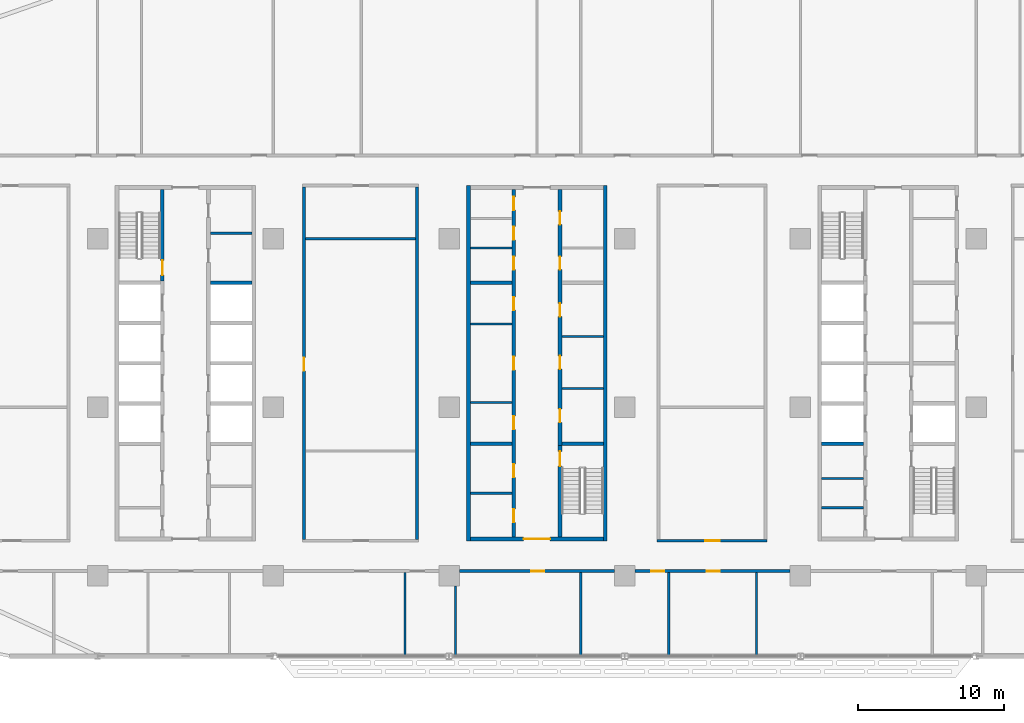
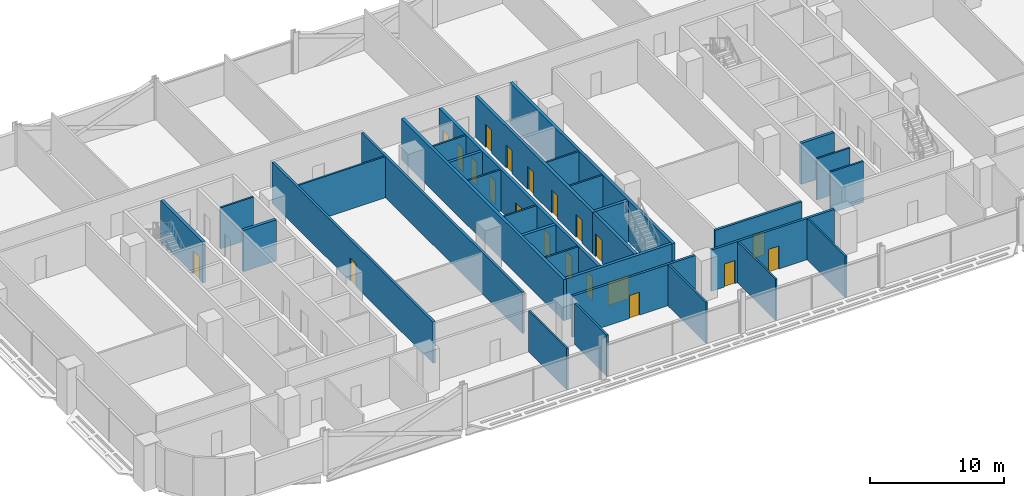
# One storey, part 13 of 29: 32 walls, 21 doors, 21 openings.
"""IFC4 building model written with IfcOpenShell, lengths in metres."""

from ifc_helpers import new_model, si_unit, direction, frame, frame_2d, origin, place, context, subcontext, project, spatial, rectangle, extrude, material, layer, layer_set, type_object, element, fill, save


model = new_model("IFC4")

# Units and contexts
model_context = context("Model", 3, precision=1e-05, world=origin(), true_north=direction((0.0, 1.0)))
body_context = subcontext(model_context, "Body", "Model", "MODEL_VIEW")
ifc_project = project(units=[si_unit("LENGTHUNIT", "METRE"), si_unit("AREAUNIT", "SQUARE_METRE"), si_unit("VOLUMEUNIT", "CUBIC_METRE"), si_unit("PLANEANGLEUNIT", "RADIAN"), si_unit("MASSUNIT", "GRAM", prefix="KILO")], contexts=[model_context])

# Site, building, storey
site_placement = place(None, origin())
site = spatial("IfcSite", under=ifc_project, at=site_placement, CompositionType="ELEMENT")
building_placement = place(site_placement, origin())
building = spatial("IfcBuilding", under=site, at=building_placement, Name="Mahtab Terrace Research Tower", CompositionType="ELEMENT")
storey_placement = place(building_placement, frame((0.0, 0.0, 93.0)))
storey = spatial("IfcBuildingStorey", under=building, at=storey_placement, Name="L21", CompositionType="ELEMENT", Elevation=93.0)

# Walls
ifc_material_1 = material(Name="Gypsum board partition")
ifc_layer_1 = layer(ifc_material_1, 0.14990234375)
ifc_layer_set_1 = layer_set([ifc_layer_1], Name="Core partition 150")
wall_type_1 = type_object("IfcWallType", Name="Core partition 150", PredefinedType="PARTITIONING", material=ifc_layer_set_1)
for number, where, z_axis, x_axis, name in (
    (1, (-22.300048828125, 11.875, 0.0), (0.0, 0.0, 1.0), (1.0, 0.0, 0.0), "Core wall A pEN888"),
    (2, (-4.550048828125, 0.3125, 0.0), (0.0, 0.0, 1.0), (1.0, 0.0, 0.0), "Core wall B pWL-269"),
    (3, (-4.550048828125, 5.6875, 0.0), (0.0, 0.0, 1.0), (1.0, 0.0, 0.0), "Core wall B pWL269"),
    (4, (1.699951171875, 1.280029296875, 0.0), (0.0, 0.0, 1.0), (1.0, 0.0, 0.0), "Core wall B pEL-172"),
    (5, (1.699951171875, 4.827392578125, 0.0), (0.0, 0.0, 1.0), (1.0, 0.0, 0.0), "Core wall B pEL183"),
    (6, (-4.550048828125, -5.875, 0.0), (0.0, 0.0, 1.0), (1.0, 0.0, 0.0), "Core wall B pWS-888"),
    (7, (-4.550048828125, 10.875, 0.0), (0.0, 0.0, 1.0), (1.0, 0.0, 0.0), "Core wall B pWN788"),
    (8, (19.449951171875, -6.875, 0.0), (0.0, 0.0, 1.0), (1.0, 0.0, 0.0), "Core wall C pWS-988"),
    (9, (19.449951171875, -4.875, 0.0), (0.0, 0.0, 1.0), (1.0, 0.0, 0.0), "Core wall C pWS-788"),
):
    element("IfcWall", number, at=place(storey_placement, frame(where, z_axis=z_axis, x_axis=x_axis)), inside=storey, type_object=wall_type_1, Name=name, PredefinedType="PARTITIONING", context=body_context, shape_type="SweptSolid", body=[
        extrude(rectangle(XDim=2.85009765625, YDim=0.14990234375, at=frame_2d((1.425048828125, 0.0))), origin(), (0.0, 0.0, 1.0), 3.760009765625),
    ])

# Wall, opening, door
ifc_material_2 = material(Name="Concrete C70/85", Category="concrete")
ifc_layer_2 = layer(ifc_material_2, 0.25)
ifc_layer_set_2 = layer_set([ifc_layer_2], Name="Core wall 250")
wall_type_2 = type_object("IfcWallType", Name="Core wall 250", PredefinedType="SOLIDWALL", material=ifc_layer_set_2)
wall_1_placement = place(storey_placement, frame((-25.574951171875, 14.875, 0.0), z_axis=(0.0, 0.0, 1.0), x_axis=(0.0, -1.0, 0.0)))
wall_1 = element("IfcWall", 10, at=wall_1_placement, inside=storey, type_object=wall_type_2, Name="Core wall A innerWN", PredefinedType="SOLIDWALL", context=body_context, shape_type="SweptSolid", body=[
    extrude(rectangle(XDim=6.25, YDim=0.25, at=frame_2d((3.125, 0.0))), origin(), (0.0, 0.0, 1.0), 3.760009765625),
])
opening_1_placement = place(wall_1_placement, frame((4.85009765625, 0.0, 0.0)))
opening_1 = element("IfcOpeningElement", 11, at=opening_1_placement, cuts=wall_1, Name="Opening A-ST1", PredefinedType="OPENING", context=body_context, shape_type="SweptSolid", body=[
    extrude(rectangle(XDim=1.0, YDim=2.10009765625, at=frame_2d((0.5, 1.050048828125))), frame((0.0, 0.135009765625, 0.0), z_axis=(0.0, -1.0, 0.0), x_axis=(1.0, 0.0, 0.0)), (0.0, 0.0, 1.0), 0.27001953125),
])
ifc_material_3 = material(Name="Steel fire door", Category="steel")
door_type_1 = type_object("IfcDoorType", Name="Stair door 1000x2100 1.5 HR", OperationType="NOTDEFINED", PredefinedType="DOOR", material=ifc_material_3)
door_1_placement = place(opening_1_placement, origin())
door_1 = element("IfcDoor", 12, at=door_1_placement, inside=storey, type_object=door_type_1, Name="Stair door ST1 L21", OperationType="SINGLE_SWING_LEFT", OverallHeight=2.10009765625, OverallWidth=1.0, PredefinedType="DOOR", context=body_context, shape_type="SweptSolid", body=[
    extrude(rectangle(XDim=1.0, YDim=2.10009765625, at=frame_2d((0.5, 1.050048828125))), frame((0.0, 0.02490234375, 0.0), z_axis=(0.0, -1.0, 0.0), x_axis=(1.0, 0.0, 0.0)), (0.0, 0.0, 1.0), 0.050048828125),
])
fill(opening_1, door_1)

# Walls
wall_2_placement = place(storey_placement, frame((-22.300048828125, 8.5, 0.0), z_axis=(0.0, 0.0, 1.0), x_axis=(1.0, 0.0, 0.0)))
element("IfcWall", 13, at=wall_2_placement, inside=storey, type_object=wall_type_2, Name="Core wall A divE4", PredefinedType="SOLIDWALL", context=body_context, shape_type="SweptSolid", body=[
    extrude(rectangle(XDim=2.85009765625, YDim=0.25, at=frame_2d((1.425048828125, 0.0))), origin(), (0.0, 0.0, 1.0), 3.760009765625),
])
for number, where, z_axis, x_axis, name in (
    (14, (-4.675048828125, 15.125, 0.0), (0.0, 0.0, 1.0), (0.0, -1.0, 0.0), "Core wall B outerW"),
    (15, (4.675048828125, -9.125, 0.0), (0.0, 0.0, 1.0), (0.0, 1.0, 0.0), "Core wall B outerE"),
):
    element("IfcWall", number, at=place(storey_placement, frame(where, z_axis=z_axis, x_axis=x_axis)), inside=storey, type_object=wall_type_2, Name=name, PredefinedType="SOLIDWALL", context=body_context, shape_type="SweptSolid", body=[
        extrude(rectangle(XDim=24.25, YDim=0.25, at=frame_2d((12.125, 0.0))), origin(), (0.0, 0.0, 1.0), 3.760009765625),
    ])

# Wall, opening, door
wall_3_placement = place(storey_placement, frame((4.550048828125, -9.0, 0.0), z_axis=(0.0, 0.0, 1.0), x_axis=(-1.0, 0.0, 0.0)))
wall_3 = element("IfcWall", 16, at=wall_3_placement, inside=storey, type_object=wall_type_2, Name="Core wall B endS", PredefinedType="SOLIDWALL", context=body_context, shape_type="SweptSolid", body=[
    extrude(rectangle(XDim=9.10009765625, YDim=0.25, at=frame_2d((4.550048828125, 0.0))), origin(), (0.0, 0.0, 1.0), 3.760009765625),
])
opening_2_placement = place(wall_3_placement, frame((3.64990234375, 0.0, 0.0)))
opening_2 = element("IfcOpeningElement", 17, at=opening_2_placement, cuts=wall_3, Name="Opening B-S1", PredefinedType="OPENING", context=body_context, shape_type="SweptSolid", body=[
    extrude(rectangle(XDim=1.800048828125, YDim=2.10009765625, at=frame_2d((0.89990234375, 1.050048828125))), frame((0.0, 0.135009765625, 0.0), z_axis=(0.0, -1.0, 0.0), x_axis=(1.0, 0.0, 0.0)), (0.0, 0.0, 1.0), 0.27001953125),
])
door_type_2 = type_object("IfcDoorType", Name="Lobby double door 1800x2100 1 HR", OperationType="DOUBLE_DOOR_SINGLE_SWING", PredefinedType="DOOR", material=ifc_material_3)
door_2_placement = place(opening_2_placement, origin())
door_2 = element("IfcDoor", 18, at=door_2_placement, inside=storey, type_object=door_type_2, Name="Core entrance door B S", OperationType="DOUBLE_DOOR_SINGLE_SWING", OverallHeight=2.10009765625, OverallWidth=1.800048828125, PredefinedType="DOOR", context=body_context, shape_type="SweptSolid", body=[
    extrude(rectangle(XDim=1.800048828125, YDim=2.10009765625, at=frame_2d((0.89990234375, 1.050048828125))), frame((0.0, 0.02490234375, 0.0), z_axis=(0.0, -1.0, 0.0), x_axis=(1.0, 0.0, 0.0)), (0.0, 0.0, 1.0), 0.050048828125),
])
fill(opening_2, door_2)

# Wall, openings, doors
wall_4_placement = place(storey_placement, frame((-1.574951171875, -8.875, 0.0), z_axis=(0.0, 0.0, 1.0), x_axis=(0.0, 1.0, 0.0)))
wall_4 = element("IfcWall", 19, at=wall_4_placement, inside=storey, type_object=wall_type_2, Name="Core wall B innerWSLN", PredefinedType="SOLIDWALL", context=body_context, shape_type="SweptSolid", body=[
    extrude(rectangle(XDim=23.75, YDim=0.25, at=frame_2d((11.875, 0.0))), origin(), (0.0, 0.0, 1.0), 3.760009765625),
])
opening_3_placement = place(wall_4_placement, frame((7.356201171875, 0.0, 0.0)))
opening_3 = element("IfcOpeningElement", 20, at=opening_3_placement, cuts=wall_4, Name="Opening B-R1", PredefinedType="OPENING", context=body_context, shape_type="SweptSolid", body=[
    extrude(rectangle(XDim=0.89990234375, YDim=2.10009765625, at=frame_2d((0.449951171875, 1.050048828125))), frame((0.0, 0.135009765625, 0.0), z_axis=(0.0, -1.0, 0.0), x_axis=(1.0, 0.0, 0.0)), (0.0, 0.0, 1.0), 0.27001953125),
])
opening_4_placement = place(wall_4_placement, frame((11.425048828125, 0.0, 0.0)))
opening_4 = element("IfcOpeningElement", 21, at=opening_4_placement, cuts=wall_4, Name="Opening B-R2", PredefinedType="OPENING", context=body_context, shape_type="SweptSolid", body=[
    extrude(rectangle(XDim=0.89990234375, YDim=2.10009765625, at=frame_2d((0.449951171875, 1.050048828125))), frame((0.0, 0.135009765625, 0.0), z_axis=(0.0, -1.0, 0.0), x_axis=(1.0, 0.0, 0.0)), (0.0, 0.0, 1.0), 0.27001953125),
])
opening_5_placement = place(wall_4_placement, frame((15.493896484375, 0.0, 0.0)))
opening_5 = element("IfcOpeningElement", 22, at=opening_5_placement, cuts=wall_4, Name="Opening B-R3", PredefinedType="OPENING", context=body_context, shape_type="SweptSolid", body=[
    extrude(rectangle(XDim=0.89990234375, YDim=2.10009765625, at=frame_2d((0.449951171875, 1.050048828125))), frame((0.0, 0.135009765625, 0.0), z_axis=(0.0, -1.0, 0.0), x_axis=(1.0, 0.0, 0.0)), (0.0, 0.0, 1.0), 0.27001953125),
])
opening_6_placement = place(wall_4_placement, frame((1.012451171875, 0.0, 0.0)))
opening_6 = element("IfcOpeningElement", 23, at=opening_6_placement, cuts=wall_4, Name="Opening B-R7", PredefinedType="OPENING", context=body_context, shape_type="SweptSolid", body=[
    extrude(rectangle(XDim=0.89990234375, YDim=2.10009765625, at=frame_2d((0.449951171875, 1.050048828125))), frame((0.0, 0.135009765625, 0.0), z_axis=(0.0, -1.0, 0.0), x_axis=(1.0, 0.0, 0.0)), (0.0, 0.0, 1.0), 0.27001953125),
])
opening_7_placement = place(wall_4_placement, frame((4.08740234375, 0.0, 0.0)))
opening_7 = element("IfcOpeningElement", 24, at=opening_7_placement, cuts=wall_4, Name="Opening B-R8", PredefinedType="OPENING", context=body_context, shape_type="SweptSolid", body=[
    extrude(rectangle(XDim=0.89990234375, YDim=2.10009765625, at=frame_2d((0.449951171875, 1.050048828125))), frame((0.0, 0.135009765625, 0.0), z_axis=(0.0, -1.0, 0.0), x_axis=(1.0, 0.0, 0.0)), (0.0, 0.0, 1.0), 0.27001953125),
])
opening_8_placement = place(wall_4_placement, frame((18.262451171875, 0.0, 0.0)))
opening_8 = element("IfcOpeningElement", 25, at=opening_8_placement, cuts=wall_4, Name="Opening B-R9", PredefinedType="OPENING", context=body_context, shape_type="SweptSolid", body=[
    extrude(rectangle(XDim=0.89990234375, YDim=2.10009765625, at=frame_2d((0.449951171875, 1.050048828125))), frame((0.0, 0.135009765625, 0.0), z_axis=(0.0, -1.0, 0.0), x_axis=(1.0, 0.0, 0.0)), (0.0, 0.0, 1.0), 0.27001953125),
])
opening_9_placement = place(wall_4_placement, frame((20.300048828125, 0.0, 0.0)))
opening_9 = element("IfcOpeningElement", 26, at=opening_9_placement, cuts=wall_4, Name="Opening B-R10", PredefinedType="OPENING", context=body_context, shape_type="SweptSolid", body=[
    extrude(rectangle(XDim=0.89990234375, YDim=2.10009765625, at=frame_2d((0.449951171875, 1.050048828125))), frame((0.0, 0.135009765625, 0.0), z_axis=(0.0, -1.0, 0.0), x_axis=(1.0, 0.0, 0.0)), (0.0, 0.0, 1.0), 0.27001953125),
])
opening_10_placement = place(wall_4_placement, frame((22.33740234375, 0.0, 0.0)))
opening_10 = element("IfcOpeningElement", 27, at=opening_10_placement, cuts=wall_4, Name="Opening B-R11", PredefinedType="OPENING", context=body_context, shape_type="SweptSolid", body=[
    extrude(rectangle(XDim=0.89990234375, YDim=2.10009765625, at=frame_2d((0.449951171875, 1.050048828125))), frame((0.0, 0.135009765625, 0.0), z_axis=(0.0, -1.0, 0.0), x_axis=(1.0, 0.0, 0.0)), (0.0, 0.0, 1.0), 0.27001953125),
])
door_type_3 = type_object("IfcDoorType", Name="Room door 900x2100 1 HR", OperationType="NOTDEFINED", PredefinedType="DOOR", material=ifc_material_3)
door_3_placement = place(opening_3_placement, origin())
door_3 = element("IfcDoor", 28, at=door_3_placement, inside=storey, type_object=door_type_3, Name="Comms room door", OperationType="SINGLE_SWING_LEFT", OverallHeight=2.10009765625, OverallWidth=0.89990234375, PredefinedType="DOOR", context=body_context, shape_type="SweptSolid", body=[
    extrude(rectangle(XDim=0.89990234375, YDim=2.10009765625, at=frame_2d((0.449951171875, 1.050048828125))), frame((0.0, 0.02490234375, 0.0), z_axis=(0.0, -1.0, 0.0), x_axis=(1.0, 0.0, 0.0)), (0.0, 0.0, 1.0), 0.050048828125),
])
fill(opening_3, door_3)
door_4_placement = place(opening_4_placement, origin())
door_4 = element("IfcDoor", 29, at=door_4_placement, inside=storey, type_object=door_type_3, Name="Meeting alcove door", OperationType="SINGLE_SWING_RIGHT", OverallHeight=2.10009765625, OverallWidth=0.89990234375, PredefinedType="DOOR", context=body_context, shape_type="SweptSolid", body=[
    extrude(rectangle(XDim=0.89990234375, YDim=2.10009765625, at=frame_2d((0.449951171875, 1.050048828125))), frame((0.0, 0.02490234375, 0.0), z_axis=(0.0, -1.0, 0.0), x_axis=(1.0, 0.0, 0.0)), (0.0, 0.0, 1.0), 0.050048828125),
])
fill(opening_4, door_4)
door_5_placement = place(opening_5_placement, origin())
door_5 = element("IfcDoor", 30, at=door_5_placement, inside=storey, type_object=door_type_3, Name="Linen store door", OperationType="SINGLE_SWING_LEFT", OverallHeight=2.10009765625, OverallWidth=0.89990234375, PredefinedType="DOOR", context=body_context, shape_type="SweptSolid", body=[
    extrude(rectangle(XDim=0.89990234375, YDim=2.10009765625, at=frame_2d((0.449951171875, 1.050048828125))), frame((0.0, 0.02490234375, 0.0), z_axis=(0.0, -1.0, 0.0), x_axis=(1.0, 0.0, 0.0)), (0.0, 0.0, 1.0), 0.050048828125),
])
fill(opening_5, door_5)
door_6_placement = place(opening_6_placement, origin())
door_6 = element("IfcDoor", 31, at=door_6_placement, inside=storey, type_object=door_type_3, Name="Housekeeping store door", OperationType="SINGLE_SWING_LEFT", OverallHeight=2.10009765625, OverallWidth=0.89990234375, PredefinedType="DOOR", context=body_context, shape_type="SweptSolid", body=[
    extrude(rectangle(XDim=0.89990234375, YDim=2.10009765625, at=frame_2d((0.449951171875, 1.050048828125))), frame((0.0, 0.02490234375, 0.0), z_axis=(0.0, -1.0, 0.0), x_axis=(1.0, 0.0, 0.0)), (0.0, 0.0, 1.0), 0.050048828125),
])
fill(opening_6, door_6)
door_7_placement = place(opening_7_placement, origin())
door_7 = element("IfcDoor", 32, at=door_7_placement, inside=storey, type_object=door_type_3, Name="Electrical riser room door", OperationType="SINGLE_SWING_RIGHT", OverallHeight=2.10009765625, OverallWidth=0.89990234375, PredefinedType="DOOR", context=body_context, shape_type="SweptSolid", body=[
    extrude(rectangle(XDim=0.89990234375, YDim=2.10009765625, at=frame_2d((0.449951171875, 1.050048828125))), frame((0.0, 0.02490234375, 0.0), z_axis=(0.0, -1.0, 0.0), x_axis=(1.0, 0.0, 0.0)), (0.0, 0.0, 1.0), 0.050048828125),
])
fill(opening_7, door_7)
door_8_placement = place(opening_8_placement, origin())
door_8 = element("IfcDoor", 33, at=door_8_placement, inside=storey, type_object=door_type_3, Name="Comms riser room door", OperationType="SINGLE_SWING_LEFT", OverallHeight=2.10009765625, OverallWidth=0.89990234375, PredefinedType="DOOR", context=body_context, shape_type="SweptSolid", body=[
    extrude(rectangle(XDim=0.89990234375, YDim=2.10009765625, at=frame_2d((0.449951171875, 1.050048828125))), frame((0.0, 0.02490234375, 0.0), z_axis=(0.0, -1.0, 0.0), x_axis=(1.0, 0.0, 0.0)), (0.0, 0.0, 1.0), 0.050048828125),
])
fill(opening_8, door_8)
door_9_placement = place(opening_9_placement, origin())
door_9 = element("IfcDoor", 34, at=door_9_placement, inside=storey, type_object=door_type_3, Name="Pantry door", OperationType="SINGLE_SWING_RIGHT", OverallHeight=2.10009765625, OverallWidth=0.89990234375, PredefinedType="DOOR", context=body_context, shape_type="SweptSolid", body=[
    extrude(rectangle(XDim=0.89990234375, YDim=2.10009765625, at=frame_2d((0.449951171875, 1.050048828125))), frame((0.0, 0.02490234375, 0.0), z_axis=(0.0, -1.0, 0.0), x_axis=(1.0, 0.0, 0.0)), (0.0, 0.0, 1.0), 0.050048828125),
])
fill(opening_9, door_9)
door_10_placement = place(opening_10_placement, origin())
door_10 = element("IfcDoor", 35, at=door_10_placement, inside=storey, type_object=door_type_3, Name="Cleaners store door", OperationType="SINGLE_SWING_LEFT", OverallHeight=2.10009765625, OverallWidth=0.89990234375, PredefinedType="DOOR", context=body_context, shape_type="SweptSolid", body=[
    extrude(rectangle(XDim=0.89990234375, YDim=2.10009765625, at=frame_2d((0.449951171875, 1.050048828125))), frame((0.0, 0.02490234375, 0.0), z_axis=(0.0, -1.0, 0.0), x_axis=(1.0, 0.0, 0.0)), (0.0, 0.0, 1.0), 0.050048828125),
])
fill(opening_10, door_10)

# Wall, opening, door
wall_5_placement = place(storey_placement, frame((1.574951171875, -8.875, 0.0), z_axis=(0.0, 0.0, 1.0), x_axis=(0.0, 1.0, 0.0)))
wall_5 = element("IfcWall", 36, at=wall_5_placement, inside=storey, type_object=wall_type_2, Name="Core wall B innerES", PredefinedType="SOLIDWALL", context=body_context, shape_type="SweptSolid", body=[
    extrude(rectangle(XDim=6.25, YDim=0.25, at=frame_2d((3.125, 0.0))), origin(), (0.0, 0.0, 1.0), 3.760009765625),
])
opening_11_placement = place(wall_5_placement, frame((4.85009765625, 0.0, 0.0)))
opening_11 = element("IfcOpeningElement", 37, at=opening_11_placement, cuts=wall_5, Name="Opening B-ST2", PredefinedType="OPENING", context=body_context, shape_type="SweptSolid", body=[
    extrude(rectangle(XDim=1.0, YDim=2.10009765625, at=frame_2d((0.5, 1.050048828125))), frame((0.0, 0.135009765625, 0.0), z_axis=(0.0, -1.0, 0.0), x_axis=(1.0, 0.0, 0.0)), (0.0, 0.0, 1.0), 0.27001953125),
])
door_11_placement = place(opening_11_placement, origin())
door_11 = element("IfcDoor", 38, at=door_11_placement, inside=storey, type_object=door_type_1, Name="Stair door ST2 L21", OperationType="SINGLE_SWING_RIGHT", OverallHeight=2.10009765625, OverallWidth=1.0, PredefinedType="DOOR", context=body_context, shape_type="SweptSolid", body=[
    extrude(rectangle(XDim=1.0, YDim=2.10009765625, at=frame_2d((0.5, 1.050048828125))), frame((0.0, 0.02490234375, 0.0), z_axis=(0.0, -1.0, 0.0), x_axis=(1.0, 0.0, 0.0)), (0.0, 0.0, 1.0), 0.050048828125),
])
fill(opening_11, door_11)

# Wall, openings, doors
wall_6_placement = place(storey_placement, frame((1.574951171875, 14.875, 0.0), z_axis=(0.0, 0.0, 1.0), x_axis=(0.0, -1.0, 0.0)))
wall_6 = element("IfcWall", 39, at=wall_6_placement, inside=storey, type_object=wall_type_2, Name="Core wall B innerELN", PredefinedType="SOLIDWALL", context=body_context, shape_type="SweptSolid", body=[
    extrude(rectangle(XDim=17.5, YDim=0.25, at=frame_2d((8.75, 0.0))), origin(), (0.0, 0.0, 1.0), 3.760009765625),
])
opening_12_placement = place(wall_6_placement, frame((15.010009765625, 0.0, 0.0)))
opening_12 = element("IfcOpeningElement", 40, at=opening_12_placement, cuts=wall_6, Name="Opening B-R4", PredefinedType="OPENING", context=body_context, shape_type="SweptSolid", body=[
    extrude(rectangle(XDim=0.89990234375, YDim=2.10009765625, at=frame_2d((0.449951171875, 1.050048828125))), frame((0.0, 0.135009765625, 0.0), z_axis=(0.0, -1.0, 0.0), x_axis=(1.0, 0.0, 0.0)), (0.0, 0.0, 1.0), 0.27001953125),
])
opening_13_placement = place(wall_6_placement, frame((11.37109375, 0.0, 0.0)))
opening_13 = element("IfcOpeningElement", 41, at=opening_13_placement, cuts=wall_6, Name="Opening B-R5", PredefinedType="OPENING", context=body_context, shape_type="SweptSolid", body=[
    extrude(rectangle(XDim=0.89990234375, YDim=2.10009765625, at=frame_2d((0.449951171875, 1.050048828125))), frame((0.0, 0.135009765625, 0.0), z_axis=(0.0, -1.0, 0.0), x_axis=(1.0, 0.0, 0.0)), (0.0, 0.0, 1.0), 0.27001953125),
])
opening_14_placement = place(wall_6_placement, frame((7.7861328125, 0.0, 0.0)))
opening_14 = element("IfcOpeningElement", 42, at=opening_14_placement, cuts=wall_6, Name="Opening B-R6", PredefinedType="OPENING", context=body_context, shape_type="SweptSolid", body=[
    extrude(rectangle(XDim=0.89990234375, YDim=2.10009765625, at=frame_2d((0.449951171875, 1.050048828125))), frame((0.0, 0.135009765625, 0.0), z_axis=(0.0, -1.0, 0.0), x_axis=(1.0, 0.0, 0.0)), (0.0, 0.0, 1.0), 0.27001953125),
])
opening_15_placement = place(wall_6_placement, frame((4.58740234375, 0.0, 0.0)))
opening_15 = element("IfcOpeningElement", 43, at=opening_15_placement, cuts=wall_6, Name="Opening B-R12", PredefinedType="OPENING", context=body_context, shape_type="SweptSolid", body=[
    extrude(rectangle(XDim=0.89990234375, YDim=2.10009765625, at=frame_2d((0.449951171875, 1.050048828125))), frame((0.0, 0.135009765625, 0.0), z_axis=(0.0, -1.0, 0.0), x_axis=(1.0, 0.0, 0.0)), (0.0, 0.0, 1.0), 0.27001953125),
])
opening_16_placement = place(wall_6_placement, frame((1.512451171875, 0.0, 0.0)))
opening_16 = element("IfcOpeningElement", 44, at=opening_16_placement, cuts=wall_6, Name="Opening B-R13", PredefinedType="OPENING", context=body_context, shape_type="SweptSolid", body=[
    extrude(rectangle(XDim=0.89990234375, YDim=2.10009765625, at=frame_2d((0.449951171875, 1.050048828125))), frame((0.0, 0.135009765625, 0.0), z_axis=(0.0, -1.0, 0.0), x_axis=(1.0, 0.0, 0.0)), (0.0, 0.0, 1.0), 0.27001953125),
])
door_12_placement = place(opening_12_placement, origin())
door_12 = element("IfcDoor", 45, at=door_12_placement, inside=storey, type_object=door_type_3, Name="Battery room door", OperationType="SINGLE_SWING_RIGHT", OverallHeight=2.10009765625, OverallWidth=0.89990234375, PredefinedType="DOOR", context=body_context, shape_type="SweptSolid", body=[
    extrude(rectangle(XDim=0.89990234375, YDim=2.10009765625, at=frame_2d((0.449951171875, 1.050048828125))), frame((0.0, 0.02490234375, 0.0), z_axis=(0.0, -1.0, 0.0), x_axis=(1.0, 0.0, 0.0)), (0.0, 0.0, 1.0), 0.050048828125),
])
fill(opening_12, door_12)
door_13_placement = place(opening_13_placement, origin())
door_13 = element("IfcDoor", 46, at=door_13_placement, inside=storey, type_object=door_type_3, Name="Cooling plant room door", OperationType="SINGLE_SWING_LEFT", OverallHeight=2.10009765625, OverallWidth=0.89990234375, PredefinedType="DOOR", context=body_context, shape_type="SweptSolid", body=[
    extrude(rectangle(XDim=0.89990234375, YDim=2.10009765625, at=frame_2d((0.449951171875, 1.050048828125))), frame((0.0, 0.02490234375, 0.0), z_axis=(0.0, -1.0, 0.0), x_axis=(1.0, 0.0, 0.0)), (0.0, 0.0, 1.0), 0.050048828125),
])
fill(opening_13, door_13)
door_14_placement = place(opening_14_placement, origin())
door_14 = element("IfcDoor", 47, at=door_14_placement, inside=storey, type_object=door_type_3, Name="Spare parts store door", OperationType="SINGLE_SWING_RIGHT", OverallHeight=2.10009765625, OverallWidth=0.89990234375, PredefinedType="DOOR", context=body_context, shape_type="SweptSolid", body=[
    extrude(rectangle(XDim=0.89990234375, YDim=2.10009765625, at=frame_2d((0.449951171875, 1.050048828125))), frame((0.0, 0.02490234375, 0.0), z_axis=(0.0, -1.0, 0.0), x_axis=(1.0, 0.0, 0.0)), (0.0, 0.0, 1.0), 0.050048828125),
])
fill(opening_14, door_14)
door_15_placement = place(opening_15_placement, origin())
door_15 = element("IfcDoor", 48, at=door_15_placement, inside=storey, type_object=door_type_3, Name="Accessible WC door", OperationType="SINGLE_SWING_RIGHT", OverallHeight=2.10009765625, OverallWidth=0.89990234375, PredefinedType="DOOR", context=body_context, shape_type="SweptSolid", body=[
    extrude(rectangle(XDim=0.89990234375, YDim=2.10009765625, at=frame_2d((0.449951171875, 1.050048828125))), frame((0.0, 0.02490234375, 0.0), z_axis=(0.0, -1.0, 0.0), x_axis=(1.0, 0.0, 0.0)), (0.0, 0.0, 1.0), 0.050048828125),
])
fill(opening_15, door_15)
door_16_placement = place(opening_16_placement, origin())
door_16 = element("IfcDoor", 49, at=door_16_placement, inside=storey, type_object=door_type_3, Name="WC block door", OperationType="SINGLE_SWING_LEFT", OverallHeight=2.10009765625, OverallWidth=0.89990234375, PredefinedType="DOOR", context=body_context, shape_type="SweptSolid", body=[
    extrude(rectangle(XDim=0.89990234375, YDim=2.10009765625, at=frame_2d((0.449951171875, 1.050048828125))), frame((0.0, 0.02490234375, 0.0), z_axis=(0.0, -1.0, 0.0), x_axis=(1.0, 0.0, 0.0)), (0.0, 0.0, 1.0), 0.050048828125),
])
fill(opening_16, door_16)

# Walls
for number, where, z_axis, x_axis, name in (
    (50, (-4.550048828125, -2.5, 0.0), (0.0, 0.0, 1.0), (1.0, 0.0, 0.0), "Core wall B divW0"),
    (51, (-4.550048828125, 8.5, 0.0), (0.0, 0.0, 1.0), (1.0, 0.0, 0.0), "Core wall B divW4"),
    (52, (1.699951171875, -2.5, 0.0), (0.0, 0.0, 1.0), (1.0, 0.0, 0.0), "Core wall B divE0"),
    (53, (19.449951171875, -2.5, 0.0), (0.0, 0.0, 1.0), (1.0, 0.0, 0.0), "Core wall C divW0"),
):
    element("IfcWall", number, at=place(storey_placement, frame(where, z_axis=z_axis, x_axis=x_axis)), inside=storey, type_object=wall_type_2, Name=name, PredefinedType="SOLIDWALL", context=body_context, shape_type="SweptSolid", body=[
        extrude(rectangle(XDim=2.85009765625, YDim=0.25, at=frame_2d((1.425048828125, 0.0))), origin(), (0.0, 0.0, 1.0), 3.760009765625),
    ])

# Wall, opening, door
ifc_material_4 = material(Name="Gypsum board corridor wall on steel studs", Category="steel")
ifc_layer_3 = layer(ifc_material_4, 0.199951171875)
ifc_layer_set_3 = layer_set([ifc_layer_3], Name="WALL CORRIDOR 200")
wall_type_3 = type_object("IfcWallType", Name="WALL CORRIDOR 200", PredefinedType="PARTITIONING", material=ifc_layer_set_3)
wall_7_placement = place(storey_placement, frame((-5.300048828125, -11.199951171875, 0.0), z_axis=(0.0, 0.0, 1.0), x_axis=(1.0, 0.0, 0.0)))
wall_7 = element("IfcWall", 54, at=wall_7_placement, inside=storey, type_object=wall_type_3, Name="L21-W004", PredefinedType="PARTITIONING", context=body_context, shape_type="SweptSolid", body=[
    extrude(rectangle(XDim=10.60009765625, YDim=0.199951171875, at=frame_2d((5.300048828125, 0.0))), origin(), (0.0, 0.0, 1.0), 3.760009765625),
])
opening_17_placement = place(wall_7_placement, frame((4.89990234375, 0.0, 0.0)))
opening_17 = element("IfcOpeningElement", 55, at=opening_17_placement, cuts=wall_7, Name="Opening L21-106", PredefinedType="OPENING", context=body_context, shape_type="SweptSolid", body=[
    extrude(rectangle(XDim=0.89990234375, YDim=2.10009765625, at=frame_2d((0.449951171875, 1.050048828125))), frame((0.0, 0.10986328125, 0.0), z_axis=(0.0, -1.0, 0.0), x_axis=(1.0, 0.0, 0.0)), (0.0, 0.0, 1.0), 0.219970703125),
])
ifc_material_5 = material(Name="Timber door leaf in steel frame", Category="steel")
door_type_4 = type_object("IfcDoorType", Name="DOOR 0900X2100 FD30S", OperationType="SINGLE_SWING_LEFT", PredefinedType="DOOR", material=ifc_material_5)
door_17_placement = place(opening_17_placement, origin())
door_17 = element("IfcDoor", 56, at=door_17_placement, inside=storey, type_object=door_type_4, Name="Door L21-106", OperationType="SINGLE_SWING_LEFT", OverallHeight=2.10009765625, OverallWidth=0.89990234375, PredefinedType="DOOR", context=body_context, shape_type="SweptSolid", body=[
    extrude(rectangle(XDim=0.89990234375, YDim=2.10009765625, at=frame_2d((0.449951171875, 1.050048828125))), frame((0.0, 0.02490234375, 0.0), z_axis=(0.0, -1.0, 0.0), x_axis=(1.0, 0.0, 0.0)), (0.0, 0.0, 1.0), 0.050048828125),
])
fill(opening_17, door_17)

# Wall, openings, doors
wall_8_placement = place(storey_placement, frame((6.699951171875, -11.199951171875, 0.0), z_axis=(0.0, 0.0, 1.0), x_axis=(1.0, 0.0, 0.0)))
wall_8 = element("IfcWall", 57, at=wall_8_placement, inside=storey, type_object=wall_type_3, Name="L21-W005", PredefinedType="PARTITIONING", context=body_context, shape_type="SweptSolid", body=[
    extrude(rectangle(XDim=10.60009765625, YDim=0.199951171875, at=frame_2d((5.300048828125, 0.0))), origin(), (0.0, 0.0, 1.0), 3.760009765625),
])
opening_18_placement = place(wall_8_placement, frame((1.10009765625, 0.0, 0.0)))
opening_18 = element("IfcOpeningElement", 58, at=opening_18_placement, cuts=wall_8, Name="Opening L21-107", PredefinedType="OPENING", context=body_context, shape_type="SweptSolid", body=[
    extrude(rectangle(XDim=0.89990234375, YDim=2.10009765625, at=frame_2d((0.449951171875, 1.050048828125))), frame((0.0, 0.10986328125, 0.0), z_axis=(0.0, -1.0, 0.0), x_axis=(1.0, 0.0, 0.0)), (0.0, 0.0, 1.0), 0.219970703125),
])
opening_19_placement = place(wall_8_placement, frame((4.89990234375, 0.0, 0.0)))
opening_19 = element("IfcOpeningElement", 59, at=opening_19_placement, cuts=wall_8, Name="Opening L21-108", PredefinedType="OPENING", context=body_context, shape_type="SweptSolid", body=[
    extrude(rectangle(XDim=0.89990234375, YDim=2.10009765625, at=frame_2d((0.449951171875, 1.050048828125))), frame((0.0, 0.10986328125, 0.0), z_axis=(0.0, -1.0, 0.0), x_axis=(1.0, 0.0, 0.0)), (0.0, 0.0, 1.0), 0.219970703125),
])
door_18_placement = place(opening_18_placement, origin())
door_18 = element("IfcDoor", 60, at=door_18_placement, inside=storey, type_object=door_type_4, Name="Door L21-107", OperationType="SINGLE_SWING_RIGHT", OverallHeight=2.10009765625, OverallWidth=0.89990234375, PredefinedType="DOOR", context=body_context, shape_type="SweptSolid", body=[
    extrude(rectangle(XDim=0.89990234375, YDim=2.10009765625, at=frame_2d((0.449951171875, 1.050048828125))), frame((0.0, 0.02490234375, 0.0), z_axis=(0.0, -1.0, 0.0), x_axis=(1.0, 0.0, 0.0)), (0.0, 0.0, 1.0), 0.050048828125),
])
fill(opening_18, door_18)
door_19_placement = place(opening_19_placement, origin())
door_19 = element("IfcDoor", 61, at=door_19_placement, inside=storey, type_object=door_type_4, Name="Door L21-108", OperationType="SINGLE_SWING_LEFT", OverallHeight=2.10009765625, OverallWidth=0.89990234375, PredefinedType="DOOR", context=body_context, shape_type="SweptSolid", body=[
    extrude(rectangle(XDim=0.89990234375, YDim=2.10009765625, at=frame_2d((0.449951171875, 1.050048828125))), frame((0.0, 0.02490234375, 0.0), z_axis=(0.0, -1.0, 0.0), x_axis=(1.0, 0.0, 0.0)), (0.0, 0.0, 1.0), 0.050048828125),
])
fill(opening_19, door_19)

# Wall, opening, door
wall_9_placement = place(storey_placement, frame((8.199951171875, -9.125, 0.0), z_axis=(0.0, 0.0, 1.0), x_axis=(1.0, 0.0, 0.0)))
wall_9 = element("IfcWall", 62, at=wall_9_placement, inside=storey, type_object=wall_type_3, Name="L21-W011", PredefinedType="PARTITIONING", context=body_context, shape_type="SweptSolid", body=[
    extrude(rectangle(XDim=7.5, YDim=0.199951171875, at=frame_2d((3.75, 0.0))), origin(), (0.0, 0.0, 1.0), 3.760009765625),
])
opening_20_placement = place(wall_9_placement, frame((3.300048828125, 0.0, 0.0)))
opening_20 = element("IfcOpeningElement", 63, at=opening_20_placement, cuts=wall_9, Name="Opening L21-118", PredefinedType="OPENING", context=body_context, shape_type="SweptSolid", body=[
    extrude(rectangle(XDim=1.0, YDim=2.10009765625, at=frame_2d((0.5, 1.050048828125))), frame((0.0, 0.10986328125, 0.0), z_axis=(0.0, -1.0, 0.0), x_axis=(1.0, 0.0, 0.0)), (0.0, 0.0, 1.0), 0.219970703125),
])
door_type_5 = type_object("IfcDoorType", Name="DOOR 1000X2100 FD30S", OperationType="SINGLE_SWING_LEFT", PredefinedType="DOOR", material=ifc_material_5)
door_20_placement = place(opening_20_placement, origin())
door_20 = element("IfcDoor", 64, at=door_20_placement, inside=storey, type_object=door_type_5, Name="Door L21-118", OperationType="SINGLE_SWING_RIGHT", OverallHeight=2.10009765625, OverallWidth=1.0, PredefinedType="DOOR", context=body_context, shape_type="SweptSolid", body=[
    extrude(rectangle(XDim=1.0, YDim=2.10009765625, at=frame_2d((0.5, 1.050048828125))), frame((0.0, 0.02490234375, 0.0), z_axis=(0.0, -1.0, 0.0), x_axis=(1.0, 0.0, 0.0)), (0.0, 0.0, 1.0), 0.050048828125),
])
fill(opening_20, door_20)

wall_10_placement = place(storey_placement, frame((-15.89990234375, -9.02490234375, 0.0), z_axis=(0.0, 0.0, 1.0), x_axis=(0.0, 1.0, 0.0)))
wall_10 = element("IfcWall", 65, at=wall_10_placement, inside=storey, type_object=wall_type_3, Name="L21-W033", PredefinedType="PARTITIONING", context=body_context, shape_type="SweptSolid", body=[
    extrude(rectangle(XDim=24.0498046875, YDim=0.199951171875, at=frame_2d((12.02490234375, 0.0))), origin(), (0.0, 0.0, 1.0), 3.760009765625),
])
opening_21_placement = place(wall_10_placement, frame((11.5, 0.0, 0.0)))
opening_21 = element("IfcOpeningElement", 66, at=opening_21_placement, cuts=wall_10, Name="Opening L21-119", PredefinedType="OPENING", context=body_context, shape_type="SweptSolid", body=[
    extrude(rectangle(XDim=0.89990234375, YDim=2.10009765625, at=frame_2d((0.449951171875, 1.050048828125))), frame((0.0, 0.10986328125, 0.0), z_axis=(0.0, -1.0, 0.0), x_axis=(1.0, 0.0, 0.0)), (0.0, 0.0, 1.0), 0.219970703125),
])
door_21_placement = place(opening_21_placement, origin())
door_21 = element("IfcDoor", 67, at=door_21_placement, inside=storey, type_object=door_type_4, Name="Door L21-119", OperationType="SINGLE_SWING_RIGHT", OverallHeight=2.10009765625, OverallWidth=0.89990234375, PredefinedType="DOOR", context=body_context, shape_type="SweptSolid", body=[
    extrude(rectangle(XDim=0.89990234375, YDim=2.10009765625, at=frame_2d((0.449951171875, 1.050048828125))), frame((0.0, 0.02490234375, 0.0), z_axis=(0.0, -1.0, 0.0), x_axis=(1.0, 0.0, 0.0)), (0.0, 0.0, 1.0), 0.050048828125),
])
fill(opening_21, door_21)

# Walls
wall_11_placement = place(storey_placement, frame((-8.199951171875, -9.02490234375, 0.0), z_axis=(0.0, 0.0, 1.0), x_axis=(0.0, 1.0, 0.0)))
element("IfcWall", 68, at=wall_11_placement, inside=storey, type_object=wall_type_3, Name="L21-W036", PredefinedType="PARTITIONING", context=body_context, shape_type="SweptSolid", body=[
    extrude(rectangle(XDim=24.0498046875, YDim=0.199951171875, at=frame_2d((12.02490234375, 0.0))), origin(), (0.0, 0.0, 1.0), 3.760009765625),
])
ifc_material_6 = material(Name="Gypsum board partition on steel studs", Category="steel")
ifc_layer_4 = layer(ifc_material_6, 0.14990234375)
ifc_layer_set_4 = layer_set([ifc_layer_4], Name="WALL PARTITION 150")
wall_type_4 = type_object("IfcWallType", Name="WALL PARTITION 150", PredefinedType="PARTITIONING", material=ifc_layer_set_4)
wall_12_placement = place(storey_placement, frame((-15.800048828125, 11.5, 0.0), z_axis=(0.0, 0.0, 1.0), x_axis=(1.0, 0.0, 0.0)))
element("IfcWall", 69, at=wall_12_placement, inside=storey, type_object=wall_type_4, Name="L21-W017", PredefinedType="PARTITIONING", context=body_context, shape_type="SweptSolid", body=[
    extrude(rectangle(XDim=7.5, YDim=0.14990234375, at=frame_2d((3.75, 0.0))), origin(), (0.0, 0.0, 1.0), 3.760009765625),
])
wall_13_placement = place(storey_placement, frame((-9.0, -16.97509765625, 0.0), z_axis=(0.0, 0.0, 1.0), x_axis=(0.0, 1.0, 0.0)))
element("IfcWall", 70, at=wall_13_placement, inside=storey, type_object=wall_type_4, Name="L21-W035", PredefinedType="PARTITIONING", context=body_context, shape_type="SweptSolid", body=[
    extrude(rectangle(XDim=5.675048828125, YDim=0.14990234375, at=frame_2d((2.83740234375, 0.0))), origin(), (0.0, 0.0, 1.0), 3.760009765625),
])
wall_14_placement = place(storey_placement, frame((-5.550048828125, -16.97509765625, 0.0), z_axis=(0.0, 0.0, 1.0), x_axis=(0.0, 1.0, 0.0)))
element("IfcWall", 71, at=wall_14_placement, inside=storey, type_object=wall_type_4, Name="L21-W037", PredefinedType="PARTITIONING", context=body_context, shape_type="SweptSolid", body=[
    extrude(rectangle(XDim=4.775146484375, YDim=0.14990234375, at=frame_2d((2.3876953125, 0.0))), origin(), (0.0, 0.0, 1.0), 3.760009765625),
])
for number, where, z_axis, x_axis, name in (
    (72, (3.0, -16.97509765625, 0.0), (0.0, 0.0, 1.0), (0.0, 1.0, 0.0), "L21-W039"),
    (73, (9.0, -16.97509765625, 0.0), (0.0, 0.0, 1.0), (0.0, 1.0, 0.0), "L21-W042"),
    (74, (15.0, -16.97509765625, 0.0), (0.0, 0.0, 1.0), (0.0, 1.0, 0.0), "L21-W044"),
):
    element("IfcWall", number, at=place(storey_placement, frame(where, z_axis=z_axis, x_axis=x_axis)), inside=storey, type_object=wall_type_4, Name=name, PredefinedType="PARTITIONING", context=body_context, shape_type="SweptSolid", body=[
        extrude(rectangle(XDim=5.675048828125, YDim=0.14990234375, at=frame_2d((2.83740234375, 0.0))), origin(), (0.0, 0.0, 1.0), 3.760009765625),
    ])

save(model, "model.ifc")
